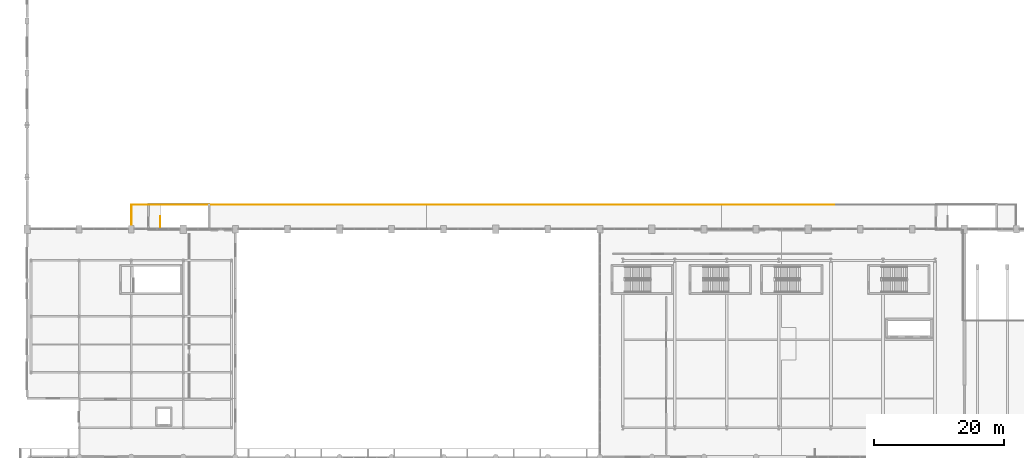
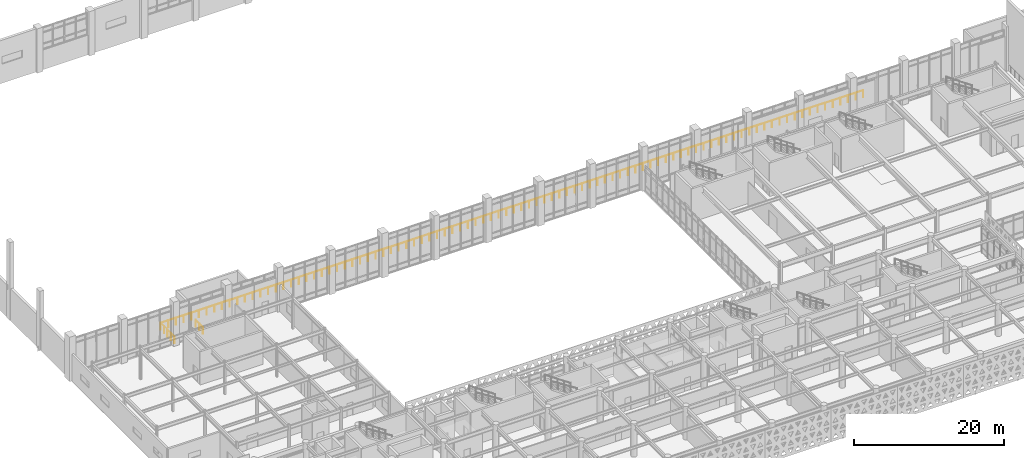
# One storey, part 81 of 84: 5 railings.
"""IFC4 building model written with IfcOpenShell, lengths in metres."""

from ifc_helpers import new_model, si_unit, direction, frame, origin, origin_2d, place, context, subcontext, project, spatial, circle, extrude, material, type_object, element, save


model = new_model("IFC4")

# Units and contexts
model_context = context("Model", 3, precision=1e-05, world=origin(), true_north=direction((0.0, 1.0)))
body_context = subcontext(model_context, "Body", "Model", "MODEL_VIEW")
ifc_project = project(units=[si_unit("LENGTHUNIT", "METRE"), si_unit("AREAUNIT", "SQUARE_METRE"), si_unit("VOLUMEUNIT", "CUBIC_METRE"), si_unit("PLANEANGLEUNIT", "RADIAN"), si_unit("MASSUNIT", "GRAM", prefix="KILO")], contexts=[model_context])

# Site, building, storey
site_placement = place(None, origin())
site = spatial("IfcSite", under=ifc_project, at=site_placement, CompositionType="ELEMENT")
building_placement = place(site_placement, origin())
building = spatial("IfcBuilding", under=site, at=building_placement, Name="Tlacozan Convention Centre", CompositionType="ELEMENT")
storey_placement = place(building_placement, frame((0.0, 0.0, 6.0)))
storey = spatial("IfcBuildingStorey", under=building, at=storey_placement, Name="L01", CompositionType="ELEMENT", Elevation=6.0)

# Railings
ifc_material = material(Name="Architectural Painted Galvanised Steel Railing", Category="steel")
railing_type_1 = type_object("IfcRailingType", Name="Mezzanine Glass Balustrade 1120", PredefinedType="BALUSTRADE", material=ifc_material)
railing_1_placement = place(storey_placement, frame((16.06005859375, 62.06005859375, 0.0)))
element("IfcRailing", 1, at=railing_1_placement, inside=storey, type_object=railing_type_1, Name="L01 Viewing Mezzanine Balustrade 1", PredefinedType="BALUSTRADE", context=body_context, shape_type="SweptSolid", body=[
    extrude(circle(Radius=0.02392578125, at=origin_2d()), frame((0.0, 0.0, 1.09619140625), z_axis=(0.0, 1.0, 0.0), x_axis=(-1.0, 0.0, 0.0)), (0.0, 0.0, 1.0), 3.679931640625),
    extrude(circle(Radius=0.02392578125, at=origin_2d()), frame((0.0, 3.679931640625, 1.09619140625), z_axis=(1.0, 0.0, 0.0), x_axis=(0.0, 1.0, 0.0)), (0.0, 0.0, 1.0), 25.93994140625),
    extrude(circle(Radius=0.02099609375, at=origin_2d()), origin(), (0.0, 0.0, 1.0), 1.072021484375),
    extrude(circle(Radius=0.02099609375, at=origin_2d()), frame((0.0, 0.919921875, 0.0)), (0.0, 0.0, 1.0), 1.072021484375),
    extrude(circle(Radius=0.02099609375, at=origin_2d()), frame((0.0, 1.83984375, 0.0)), (0.0, 0.0, 1.0), 1.072021484375),
    extrude(circle(Radius=0.02099609375, at=origin_2d()), frame((0.0, 2.760009765625, 0.0)), (0.0, 0.0, 1.0), 1.072021484375),
    extrude(circle(Radius=0.02099609375, at=origin_2d()), frame((0.0, 3.679931640625, 0.0)), (0.0, 0.0, 1.0), 1.072021484375),
    extrude(circle(Radius=0.02099609375, at=origin_2d()), frame((1.17919921875, 3.679931640625, 0.0)), (0.0, 0.0, 1.0), 1.072021484375),
    extrude(circle(Radius=0.02099609375, at=origin_2d()), frame((2.358154296875, 3.679931640625, 0.0)), (0.0, 0.0, 1.0), 1.072021484375),
    extrude(circle(Radius=0.02099609375, at=origin_2d()), frame((3.537353515625, 3.679931640625, 0.0)), (0.0, 0.0, 1.0), 1.072021484375),
    extrude(circle(Radius=0.02099609375, at=origin_2d()), frame((4.71630859375, 3.679931640625, 0.0)), (0.0, 0.0, 1.0), 1.072021484375),
    extrude(circle(Radius=0.02099609375, at=origin_2d()), frame((5.8955078125, 3.679931640625, 0.0)), (0.0, 0.0, 1.0), 1.072021484375),
    extrude(circle(Radius=0.02099609375, at=origin_2d()), frame((7.074462890625, 3.679931640625, 0.0)), (0.0, 0.0, 1.0), 1.072021484375),
    extrude(circle(Radius=0.02099609375, at=origin_2d()), frame((8.253662109375, 3.679931640625, 0.0)), (0.0, 0.0, 1.0), 1.072021484375),
    extrude(circle(Radius=0.02099609375, at=origin_2d()), frame((9.4326171875, 3.679931640625, 0.0)), (0.0, 0.0, 1.0), 1.072021484375),
    extrude(circle(Radius=0.02099609375, at=origin_2d()), frame((10.61181640625, 3.679931640625, 0.0)), (0.0, 0.0, 1.0), 1.072021484375),
    extrude(circle(Radius=0.02099609375, at=origin_2d()), frame((11.790771484375, 3.679931640625, 0.0)), (0.0, 0.0, 1.0), 1.072021484375),
    extrude(circle(Radius=0.02099609375, at=origin_2d()), frame((12.969970703125, 3.679931640625, 0.0)), (0.0, 0.0, 1.0), 1.072021484375),
    extrude(circle(Radius=0.02099609375, at=origin_2d()), frame((14.149169921875, 3.679931640625, 0.0)), (0.0, 0.0, 1.0), 1.072021484375),
    extrude(circle(Radius=0.02099609375, at=origin_2d()), frame((15.328125, 3.679931640625, 0.0)), (0.0, 0.0, 1.0), 1.072021484375),
    extrude(circle(Radius=0.02099609375, at=origin_2d()), frame((16.50732421875, 3.679931640625, 0.0)), (0.0, 0.0, 1.0), 1.072021484375),
    extrude(circle(Radius=0.02099609375, at=origin_2d()), frame((17.686279296875, 3.679931640625, 0.0)), (0.0, 0.0, 1.0), 1.072021484375),
    extrude(circle(Radius=0.02099609375, at=origin_2d()), frame((18.865478515625, 3.679931640625, 0.0)), (0.0, 0.0, 1.0), 1.072021484375),
    extrude(circle(Radius=0.02099609375, at=origin_2d()), frame((20.04443359375, 3.679931640625, 0.0)), (0.0, 0.0, 1.0), 1.072021484375),
    extrude(circle(Radius=0.02099609375, at=origin_2d()), frame((21.2236328125, 3.679931640625, 0.0)), (0.0, 0.0, 1.0), 1.072021484375),
    extrude(circle(Radius=0.02099609375, at=origin_2d()), frame((22.402587890625, 3.679931640625, 0.0)), (0.0, 0.0, 1.0), 1.072021484375),
    extrude(circle(Radius=0.02099609375, at=origin_2d()), frame((23.581787109375, 3.679931640625, 0.0)), (0.0, 0.0, 1.0), 1.072021484375),
    extrude(circle(Radius=0.02099609375, at=origin_2d()), frame((24.7607421875, 3.679931640625, 0.0)), (0.0, 0.0, 1.0), 1.072021484375),
    extrude(circle(Radius=0.02099609375, at=origin_2d()), frame((25.93994140625, 3.679931640625, 0.0)), (0.0, 0.0, 1.0), 1.072021484375),
])
railing_2_placement = place(storey_placement, frame((42.0, 65.739990234375, 0.0)))
element("IfcRailing", 2, at=railing_2_placement, inside=storey, type_object=railing_type_1, Name="L01 Viewing Mezzanine Balustrade 2", PredefinedType="BALUSTRADE", context=body_context, shape_type="SweptSolid", body=[
    extrude(circle(Radius=0.02392578125, at=origin_2d()), frame((0.0, 0.0, 1.09619140625), z_axis=(1.0, 0.0, 0.0), x_axis=(0.0, 1.0, 0.0)), (0.0, 0.0, 1.0), 26.0),
    extrude(circle(Radius=0.02099609375, at=origin_2d()), origin(), (0.0, 0.0, 1.0), 1.072021484375),
    extrude(circle(Radius=0.02099609375, at=origin_2d()), frame((1.181884765625, 0.0, 0.0)), (0.0, 0.0, 1.0), 1.072021484375),
    extrude(circle(Radius=0.02099609375, at=origin_2d()), frame((2.363525390625, 0.0, 0.0)), (0.0, 0.0, 1.0), 1.072021484375),
    extrude(circle(Radius=0.02099609375, at=origin_2d()), frame((3.54541015625, 0.0, 0.0)), (0.0, 0.0, 1.0), 1.072021484375),
    extrude(circle(Radius=0.02099609375, at=origin_2d()), frame((4.727294921875, 0.0, 0.0)), (0.0, 0.0, 1.0), 1.072021484375),
    extrude(circle(Radius=0.02099609375, at=origin_2d()), frame((5.9091796875, 0.0, 0.0)), (0.0, 0.0, 1.0), 1.072021484375),
    extrude(circle(Radius=0.02099609375, at=origin_2d()), frame((7.0908203125, 0.0, 0.0)), (0.0, 0.0, 1.0), 1.072021484375),
    extrude(circle(Radius=0.02099609375, at=origin_2d()), frame((8.272705078125, 0.0, 0.0)), (0.0, 0.0, 1.0), 1.072021484375),
    extrude(circle(Radius=0.02099609375, at=origin_2d()), frame((9.45458984375, 0.0, 0.0)), (0.0, 0.0, 1.0), 1.072021484375),
    extrude(circle(Radius=0.02099609375, at=origin_2d()), frame((10.636474609375, 0.0, 0.0)), (0.0, 0.0, 1.0), 1.072021484375),
    extrude(circle(Radius=0.02099609375, at=origin_2d()), frame((11.818115234375, 0.0, 0.0)), (0.0, 0.0, 1.0), 1.072021484375),
    extrude(circle(Radius=0.02099609375, at=origin_2d()), frame((13.0, 0.0, 0.0)), (0.0, 0.0, 1.0), 1.072021484375),
    extrude(circle(Radius=0.02099609375, at=origin_2d()), frame((14.181884765625, 0.0, 0.0)), (0.0, 0.0, 1.0), 1.072021484375),
    extrude(circle(Radius=0.02099609375, at=origin_2d()), frame((15.363525390625, 0.0, 0.0)), (0.0, 0.0, 1.0), 1.072021484375),
    extrude(circle(Radius=0.02099609375, at=origin_2d()), frame((16.54541015625, 0.0, 0.0)), (0.0, 0.0, 1.0), 1.072021484375),
    extrude(circle(Radius=0.02099609375, at=origin_2d()), frame((17.727294921875, 0.0, 0.0)), (0.0, 0.0, 1.0), 1.072021484375),
    extrude(circle(Radius=0.02099609375, at=origin_2d()), frame((18.9091796875, 0.0, 0.0)), (0.0, 0.0, 1.0), 1.072021484375),
    extrude(circle(Radius=0.02099609375, at=origin_2d()), frame((20.0908203125, 0.0, 0.0)), (0.0, 0.0, 1.0), 1.072021484375),
    extrude(circle(Radius=0.02099609375, at=origin_2d()), frame((21.272705078125, 0.0, 0.0)), (0.0, 0.0, 1.0), 1.072021484375),
    extrude(circle(Radius=0.02099609375, at=origin_2d()), frame((22.45458984375, 0.0, 0.0)), (0.0, 0.0, 1.0), 1.072021484375),
    extrude(circle(Radius=0.02099609375, at=origin_2d()), frame((23.636474609375, 0.0, 0.0)), (0.0, 0.0, 1.0), 1.072021484375),
    extrude(circle(Radius=0.02099609375, at=origin_2d()), frame((24.818115234375, 0.0, 0.0)), (0.0, 0.0, 1.0), 1.072021484375),
    extrude(circle(Radius=0.02099609375, at=origin_2d()), frame((26.0, 0.0, 0.0)), (0.0, 0.0, 1.0), 1.072021484375),
])
railing_3_placement = place(storey_placement, frame((68.0, 65.739990234375, 0.0)))
element("IfcRailing", 3, at=railing_3_placement, inside=storey, type_object=railing_type_1, Name="L01 Viewing Mezzanine Balustrade 3", PredefinedType="BALUSTRADE", context=body_context, shape_type="SweptSolid", body=[
    extrude(circle(Radius=0.02392578125, at=origin_2d()), frame((0.0, 0.0, 1.09619140625), z_axis=(1.0, 0.0, 0.0), x_axis=(0.0, 1.0, 0.0)), (0.0, 0.0, 1.0), 28.0),
    extrude(circle(Radius=0.02099609375, at=origin_2d()), origin(), (0.0, 0.0, 1.0), 1.072021484375),
    extrude(circle(Radius=0.02099609375, at=origin_2d()), frame((1.166748046875, 0.0, 0.0)), (0.0, 0.0, 1.0), 1.072021484375),
    extrude(circle(Radius=0.02099609375, at=origin_2d()), frame((2.333251953125, 0.0, 0.0)), (0.0, 0.0, 1.0), 1.072021484375),
    extrude(circle(Radius=0.02099609375, at=origin_2d()), frame((3.5, 0.0, 0.0)), (0.0, 0.0, 1.0), 1.072021484375),
    extrude(circle(Radius=0.02099609375, at=origin_2d()), frame((4.666748046875, 0.0, 0.0)), (0.0, 0.0, 1.0), 1.072021484375),
    extrude(circle(Radius=0.02099609375, at=origin_2d()), frame((5.833251953125, 0.0, 0.0)), (0.0, 0.0, 1.0), 1.072021484375),
    extrude(circle(Radius=0.02099609375, at=origin_2d()), frame((7.0, 0.0, 0.0)), (0.0, 0.0, 1.0), 1.072021484375),
    extrude(circle(Radius=0.02099609375, at=origin_2d()), frame((8.166748046875, 0.0, 0.0)), (0.0, 0.0, 1.0), 1.072021484375),
    extrude(circle(Radius=0.02099609375, at=origin_2d()), frame((9.333251953125, 0.0, 0.0)), (0.0, 0.0, 1.0), 1.072021484375),
    extrude(circle(Radius=0.02099609375, at=origin_2d()), frame((10.5, 0.0, 0.0)), (0.0, 0.0, 1.0), 1.072021484375),
    extrude(circle(Radius=0.02099609375, at=origin_2d()), frame((11.666748046875, 0.0, 0.0)), (0.0, 0.0, 1.0), 1.072021484375),
    extrude(circle(Radius=0.02099609375, at=origin_2d()), frame((12.833251953125, 0.0, 0.0)), (0.0, 0.0, 1.0), 1.072021484375),
    extrude(circle(Radius=0.02099609375, at=origin_2d()), frame((14.0, 0.0, 0.0)), (0.0, 0.0, 1.0), 1.072021484375),
    extrude(circle(Radius=0.02099609375, at=origin_2d()), frame((15.166748046875, 0.0, 0.0)), (0.0, 0.0, 1.0), 1.072021484375),
    extrude(circle(Radius=0.02099609375, at=origin_2d()), frame((16.333251953125, 0.0, 0.0)), (0.0, 0.0, 1.0), 1.072021484375),
    extrude(circle(Radius=0.02099609375, at=origin_2d()), frame((17.5, 0.0, 0.0)), (0.0, 0.0, 1.0), 1.072021484375),
    extrude(circle(Radius=0.02099609375, at=origin_2d()), frame((18.666748046875, 0.0, 0.0)), (0.0, 0.0, 1.0), 1.072021484375),
    extrude(circle(Radius=0.02099609375, at=origin_2d()), frame((19.833251953125, 0.0, 0.0)), (0.0, 0.0, 1.0), 1.072021484375),
    extrude(circle(Radius=0.02099609375, at=origin_2d()), frame((21.0, 0.0, 0.0)), (0.0, 0.0, 1.0), 1.072021484375),
    extrude(circle(Radius=0.02099609375, at=origin_2d()), frame((22.166748046875, 0.0, 0.0)), (0.0, 0.0, 1.0), 1.072021484375),
    extrude(circle(Radius=0.02099609375, at=origin_2d()), frame((23.333251953125, 0.0, 0.0)), (0.0, 0.0, 1.0), 1.072021484375),
    extrude(circle(Radius=0.02099609375, at=origin_2d()), frame((24.5, 0.0, 0.0)), (0.0, 0.0, 1.0), 1.072021484375),
    extrude(circle(Radius=0.02099609375, at=origin_2d()), frame((25.666748046875, 0.0, 0.0)), (0.0, 0.0, 1.0), 1.072021484375),
    extrude(circle(Radius=0.02099609375, at=origin_2d()), frame((26.833251953125, 0.0, 0.0)), (0.0, 0.0, 1.0), 1.072021484375),
    extrude(circle(Radius=0.02099609375, at=origin_2d()), frame((28.0, 0.0, 0.0)), (0.0, 0.0, 1.0), 1.072021484375),
])
railing_4_placement = place(storey_placement, frame((96.0, 65.739990234375, 0.0)))
element("IfcRailing", 4, at=railing_4_placement, inside=storey, type_object=railing_type_1, Name="L01 Viewing Mezzanine Balustrade 4", PredefinedType="BALUSTRADE", context=body_context, shape_type="SweptSolid", body=[
    extrude(circle(Radius=0.02392578125, at=origin_2d()), frame((0.0, 0.0, 1.09619140625), z_axis=(1.0, 0.0, 0.0), x_axis=(0.0, 1.0, 0.0)), (0.0, 0.0, 1.0), 28.0),
    extrude(circle(Radius=0.02099609375, at=origin_2d()), origin(), (0.0, 0.0, 1.0), 1.072021484375),
    extrude(circle(Radius=0.02099609375, at=origin_2d()), frame((1.166748046875, 0.0, 0.0)), (0.0, 0.0, 1.0), 1.072021484375),
    extrude(circle(Radius=0.02099609375, at=origin_2d()), frame((2.333251953125, 0.0, 0.0)), (0.0, 0.0, 1.0), 1.072021484375),
    extrude(circle(Radius=0.02099609375, at=origin_2d()), frame((3.5, 0.0, 0.0)), (0.0, 0.0, 1.0), 1.072021484375),
    extrude(circle(Radius=0.02099609375, at=origin_2d()), frame((4.666748046875, 0.0, 0.0)), (0.0, 0.0, 1.0), 1.072021484375),
    extrude(circle(Radius=0.02099609375, at=origin_2d()), frame((5.833251953125, 0.0, 0.0)), (0.0, 0.0, 1.0), 1.072021484375),
    extrude(circle(Radius=0.02099609375, at=origin_2d()), frame((7.0, 0.0, 0.0)), (0.0, 0.0, 1.0), 1.072021484375),
    extrude(circle(Radius=0.02099609375, at=origin_2d()), frame((8.166748046875, 0.0, 0.0)), (0.0, 0.0, 1.0), 1.072021484375),
    extrude(circle(Radius=0.02099609375, at=origin_2d()), frame((9.333251953125, 0.0, 0.0)), (0.0, 0.0, 1.0), 1.072021484375),
    extrude(circle(Radius=0.02099609375, at=origin_2d()), frame((10.5, 0.0, 0.0)), (0.0, 0.0, 1.0), 1.072021484375),
    extrude(circle(Radius=0.02099609375, at=origin_2d()), frame((11.666748046875, 0.0, 0.0)), (0.0, 0.0, 1.0), 1.072021484375),
    extrude(circle(Radius=0.02099609375, at=origin_2d()), frame((12.833251953125, 0.0, 0.0)), (0.0, 0.0, 1.0), 1.072021484375),
    extrude(circle(Radius=0.02099609375, at=origin_2d()), frame((14.0, 0.0, 0.0)), (0.0, 0.0, 1.0), 1.072021484375),
    extrude(circle(Radius=0.02099609375, at=origin_2d()), frame((15.166748046875, 0.0, 0.0)), (0.0, 0.0, 1.0), 1.072021484375),
    extrude(circle(Radius=0.02099609375, at=origin_2d()), frame((16.333251953125, 0.0, 0.0)), (0.0, 0.0, 1.0), 1.072021484375),
    extrude(circle(Radius=0.02099609375, at=origin_2d()), frame((17.5, 0.0, 0.0)), (0.0, 0.0, 1.0), 1.072021484375),
    extrude(circle(Radius=0.02099609375, at=origin_2d()), frame((18.666748046875, 0.0, 0.0)), (0.0, 0.0, 1.0), 1.072021484375),
    extrude(circle(Radius=0.02099609375, at=origin_2d()), frame((19.833251953125, 0.0, 0.0)), (0.0, 0.0, 1.0), 1.072021484375),
    extrude(circle(Radius=0.02099609375, at=origin_2d()), frame((21.0, 0.0, 0.0)), (0.0, 0.0, 1.0), 1.072021484375),
    extrude(circle(Radius=0.02099609375, at=origin_2d()), frame((22.166748046875, 0.0, 0.0)), (0.0, 0.0, 1.0), 1.072021484375),
    extrude(circle(Radius=0.02099609375, at=origin_2d()), frame((23.333251953125, 0.0, 0.0)), (0.0, 0.0, 1.0), 1.072021484375),
    extrude(circle(Radius=0.02099609375, at=origin_2d()), frame((24.5, 0.0, 0.0)), (0.0, 0.0, 1.0), 1.072021484375),
    extrude(circle(Radius=0.02099609375, at=origin_2d()), frame((25.666748046875, 0.0, 0.0)), (0.0, 0.0, 1.0), 1.072021484375),
    extrude(circle(Radius=0.02099609375, at=origin_2d()), frame((26.833251953125, 0.0, 0.0)), (0.0, 0.0, 1.0), 1.072021484375),
    extrude(circle(Radius=0.02099609375, at=origin_2d()), frame((28.0, 0.0, 0.0)), (0.0, 0.0, 1.0), 1.072021484375),
])
railing_type_2 = type_object("IfcRailingType", Name="Stair Well Guardrail 1100", PredefinedType="GUARDRAIL", material=ifc_material)
railing_5_placement = place(storey_placement, frame((20.449951171875, 62.10009765625, 0.0)))
element("IfcRailing", 5, at=railing_5_placement, inside=storey, type_object=railing_type_2, Name="L01 ST-10 top well guard 1", PredefinedType="GUARDRAIL", context=body_context, shape_type="SweptSolid", body=[
    extrude(circle(Radius=0.02392578125, at=origin_2d()), frame((0.0, 0.0, 1.076171875), z_axis=(0.0, 1.0, 0.0), x_axis=(-1.0, 0.0, 0.0)), (0.0, 0.0, 1.0), 1.89990234375),
    extrude(circle(Radius=0.02099609375, at=origin_2d()), origin(), (0.0, 0.0, 1.0), 1.052001953125),
    extrude(circle(Radius=0.02099609375, at=origin_2d()), frame((0.0, 0.949951171875, 0.0)), (0.0, 0.0, 1.0), 1.052001953125),
    extrude(circle(Radius=0.02099609375, at=origin_2d()), frame((0.0, 1.89990234375, 0.0)), (0.0, 0.0, 1.0), 1.052001953125),
])

save(model, "model.ifc")
